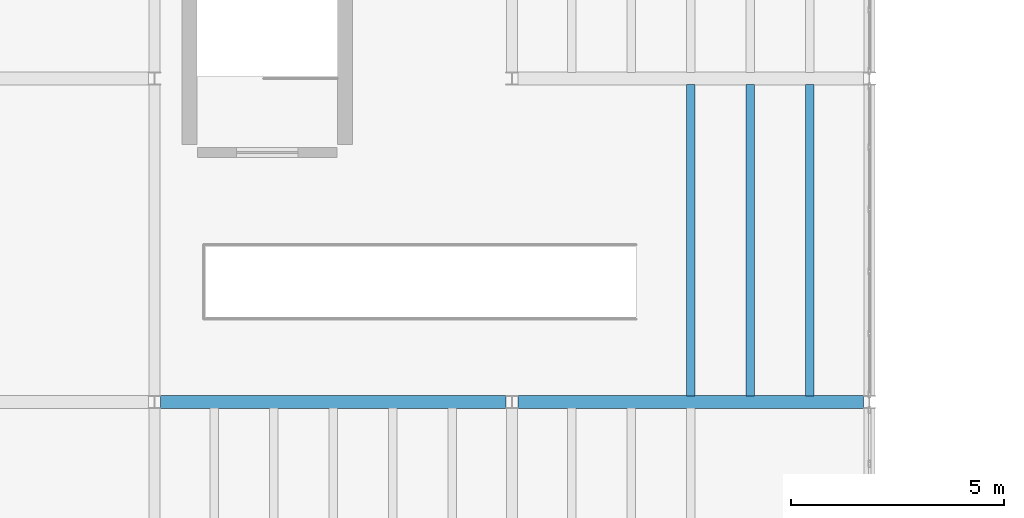
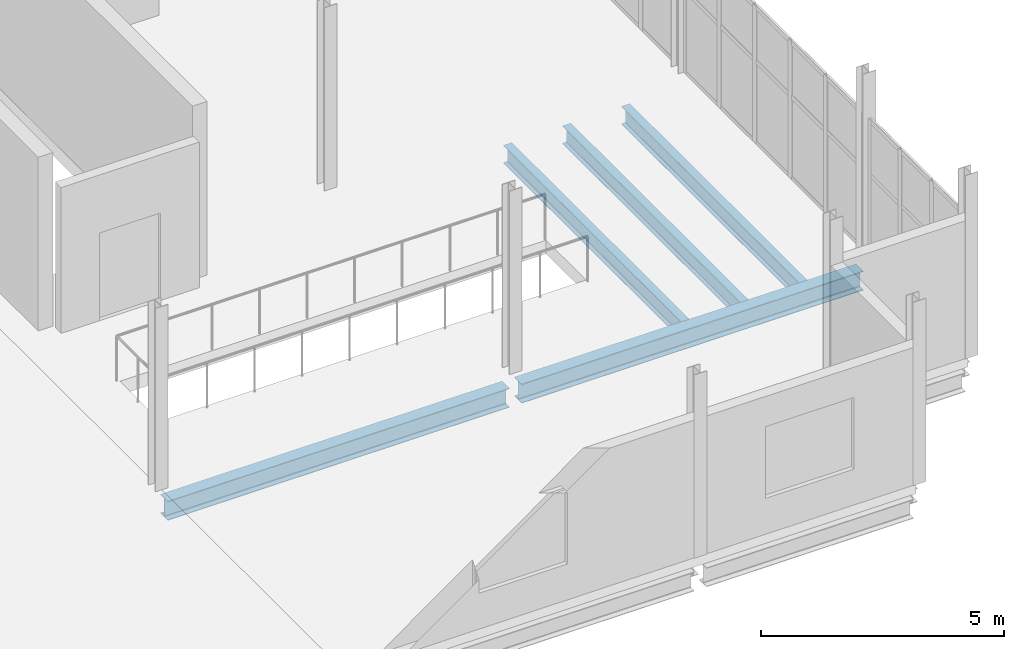
# One storey, part 18 of 136: 5 beams.
"""IFC4 building model written with IfcOpenShell, lengths in metres."""

from ifc_helpers import new_model, si_unit, direction, frame, origin, origin_2d, place, context, subcontext, project, spatial, i_section, extrude, material, material_profile, profile_set, type_object, element, save


model = new_model("IFC4")

# Units and contexts
model_context = context("Model", 3, precision=1e-05, world=origin(), true_north=direction((0.0, 1.0)))
body_context = subcontext(model_context, "Body", "Model", "MODEL_VIEW")
ifc_project = project(units=[si_unit("LENGTHUNIT", "METRE"), si_unit("AREAUNIT", "SQUARE_METRE"), si_unit("VOLUMEUNIT", "CUBIC_METRE"), si_unit("PLANEANGLEUNIT", "RADIAN"), si_unit("MASSUNIT", "GRAM", prefix="KILO")], contexts=[model_context])

# Site, building, storey
site_placement = place(None, origin())
site = spatial("IfcSite", under=ifc_project, at=site_placement, CompositionType="ELEMENT")
building_placement = place(site_placement, origin())
building = spatial("IfcBuilding", under=site, at=building_placement, Name="Shengluoqiao Park Theatre", CompositionType="ELEMENT")
storey_placement = place(building_placement, frame((0.0, 0.0, 10.0)))
storey = spatial("IfcBuildingStorey", under=building, at=storey_placement, Name="L02", CompositionType="ELEMENT", Elevation=10.0)

# Beams
ifc_material = material(Name="Steel Q355", Category="steel")
ifc_material_profile_1 = material_profile(ifc_material, i_section(OverallWidth=0.300048828125, OverallDepth=0.48193359375, WebThickness=0.010986328125, FlangeThickness=0.014892578125, FilletRadius=0.02197265625, at=origin_2d()), Name="HM 482x300x11x15")
ifc_profile_set_1 = profile_set([ifc_material_profile_1], Name="Steel Q355")
beam_type_1 = type_object("IfcBeamType", Name="STR-BM-G-HM482", PredefinedType="BEAM", material=ifc_profile_set_1)
for number, where, z_axis, x_axis, name in (
    (1, (27.743896484375, 7.60009765625, -0.5810546875), (1.0, 0.0, 0.0), (0.0, 1.0, 0.0), "L02 Primary Girder 00906"),
    (2, (36.14404296875, 7.60009765625, -0.5810546875), (1.0, 0.0, 0.0), (0.0, 1.0, 0.0), "L02 Primary Girder 00907"),
):
    element("IfcBeam", number, at=place(storey_placement, frame(where, z_axis=z_axis, x_axis=x_axis)), inside=storey, type_object=beam_type_1, Name=name, PredefinedType="BEAM", context=body_context, shape_type="SweptSolid", body=[
        extrude(i_section(OverallWidth=0.300048828125, OverallDepth=0.48193359375, WebThickness=0.010986328125, FlangeThickness=0.014892578125, FilletRadius=0.02197265625, at=origin_2d()), origin(), (0.0, 0.0, 1.0), 8.112060546875),
    ])
ifc_material_profile_2 = material_profile(ifc_material, i_section(OverallWidth=0.199951171875, OverallDepth=0.449951171875, WebThickness=0.009033203125, FlangeThickness=0.013916015625, FilletRadius=0.01611328125, at=origin_2d()), Name="HN 450x200x9x14")
ifc_profile_set_2 = profile_set([ifc_material_profile_2], Name="Steel Q355")
beam_type_2 = type_object("IfcBeamType", Name="STR-BM-J-HN450", PredefinedType="JOIST", material=ifc_profile_set_2)
for number, where, z_axis, x_axis, name in (
    (3, (40.199951171875, 7.7451171875, -0.56494140625), (0.0, 1.0, 0.0), (-1.0, 0.0, 0.0), "L02 Composite Joist 00924"),
    (4, (41.60009765625, 7.7451171875, -0.56494140625), (0.0, 1.0, 0.0), (-1.0, 0.0, 0.0), "L02 Composite Joist 00925"),
    (5, (43.0, 7.7451171875, -0.56494140625), (0.0, 1.0, 0.0), (-1.0, 0.0, 0.0), "L02 Composite Joist 00926"),
):
    element("IfcBeam", number, at=place(storey_placement, frame(where, z_axis=z_axis, x_axis=x_axis)), inside=storey, type_object=beam_type_2, Name=name, PredefinedType="JOIST", context=body_context, shape_type="SweptSolid", body=[
        extrude(i_section(OverallWidth=0.199951171875, OverallDepth=0.449951171875, WebThickness=0.009033203125, FlangeThickness=0.013916015625, FilletRadius=0.01611328125, at=origin_2d()), origin(), (0.0, 0.0, 1.0), 7.309814453125),
    ])

save(model, "model.ifc")
